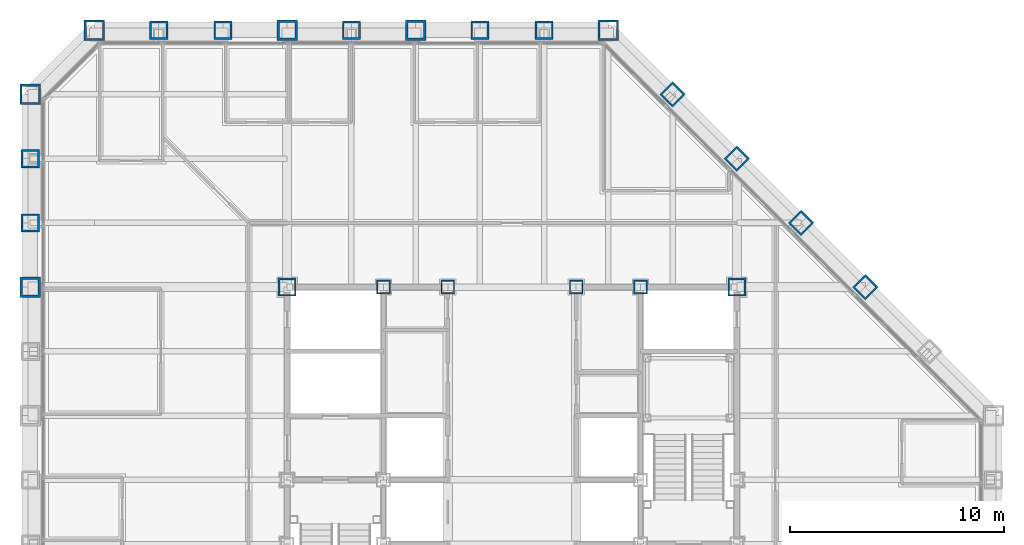
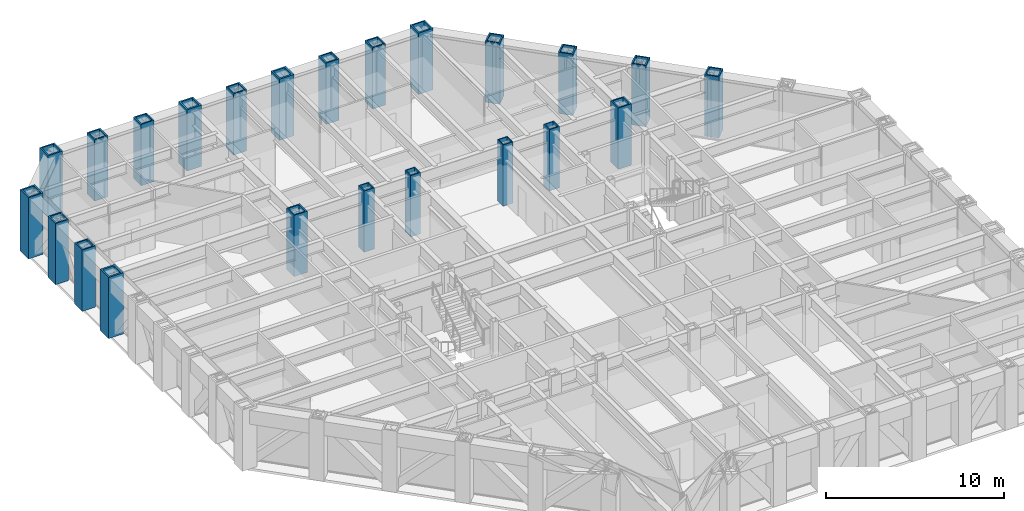
# One storey, part 3 of 17: 23 columns.
"""IFC4 building model written with IfcOpenShell, lengths in metres."""

from ifc_helpers import new_model, si_unit, direction, frame, origin, origin_2d, place, context, subcontext, project, spatial, hollow_rectangle, extrude, material, material_profile, profile_set, type_object, element, save


model = new_model("IFC4")

# Units and contexts
model_context = context("Model", 3, precision=1e-05, world=origin(), true_north=direction((0.0, 1.0)))
body_context = subcontext(model_context, "Body", "Model", "MODEL_VIEW")
ifc_project = project(units=[si_unit("LENGTHUNIT", "METRE"), si_unit("AREAUNIT", "SQUARE_METRE"), si_unit("VOLUMEUNIT", "CUBIC_METRE"), si_unit("PLANEANGLEUNIT", "RADIAN"), si_unit("MASSUNIT", "GRAM", prefix="KILO")], contexts=[model_context])

# Site, building, storey
site_placement = place(None, origin())
site = spatial("IfcSite", under=ifc_project, at=site_placement, CompositionType="ELEMENT")
building_placement = place(site_placement, origin())
building = spatial("IfcBuilding", under=site, at=building_placement, Name="Chuquiago Exchange Tower", CompositionType="ELEMENT")
storey_placement = place(building_placement, frame((0.0, 0.0, 169.800048828125)))
storey = spatial("IfcBuildingStorey", under=building, at=storey_placement, Name="L37", CompositionType="ELEMENT", Elevation=169.800048828125)

# Columns
ifc_material_1 = material(Name="Steel ASTM A572 Grade 50", Category="steel")
ifc_material_profile_1 = material_profile(ifc_material_1, hollow_rectangle(XDim=0.85009765625, YDim=0.85009765625, WallThickness=0.0849609375, at=origin_2d()), Name="BOX850X850X85")
ifc_profile_set_1 = profile_set([ifc_material_profile_1], Name="Steel ASTM A572 Grade 50")
column_type_1 = type_object("IfcColumnType", Name="C6 BOX850X850X85", PredefinedType="COLUMN", material=ifc_profile_set_1)
for number, where, z_axis, x_axis, name in (
    (1, (39.0, 33.0, 0.0), (0.0, 0.0, 1.0), (0.707106781187, 0.707106781187, 0.0), "COL-L37-39_33"),
    (2, (36.0, 36.0, 0.0), (0.0, 0.0, 1.0), (0.707106781187, 0.707106781187, 0.0), "COL-L37-36_36"),
    (3, (33.0, 39.0, 0.0), (0.0, 0.0, 1.0), (0.707106781187, 0.707106781187, 0.0), "COL-L37-33_39"),
    (4, (30.0, 42.0, 0.0), (0.0, 0.0, 1.0), (0.707106781187, 0.707106781187, 0.0), "COL-L37-30_42"),
    (5, (24.0, 45.0, 0.0), (0.0, 0.0, 1.0), (0.0, 1.0, 0.0), "COL-L37-24_45"),
    (6, (21.0, 45.0, 0.0), (0.0, 0.0, 1.0), (0.0, 1.0, 0.0), "COL-L37-21_45"),
    (7, (15.0, 45.0, 0.0), (0.0, 0.0, 1.0), (0.0, 1.0, 0.0), "COL-L37-15_45"),
    (8, (9.0, 45.0, 0.0), (0.0, 0.0, 1.0), (0.0, 1.0, 0.0), "COL-L37-9_45"),
    (9, (6.0, 45.0, 0.0), (0.0, 0.0, 1.0), (0.0, 1.0, 0.0), "COL-L37-6_45"),
    (10, (0.0, 39.0, 0.0), (0.0, 0.0, 1.0), (-1.0, 0.0, 0.0), "COL-L37-0_39"),
    (11, (0.0, 36.0, 0.0), (0.0, 0.0, 1.0), (-1.0, 0.0, 0.0), "COL-L37-0_36"),
):
    element("IfcColumn", number, at=place(storey_placement, frame(where, z_axis=z_axis, x_axis=x_axis)), inside=storey, type_object=column_type_1, Name=name, PredefinedType="COLUMN", context=body_context, shape_type="SweptSolid", body=[
        extrude(hollow_rectangle(XDim=0.85009765625, YDim=0.85009765625, WallThickness=0.0849609375, at=origin_2d()), origin(), (0.0, 0.0, 1.0), 4.199951171875),
    ])
ifc_material_2 = material(Name="Steel ASTM A572 Grade 50", Category="steel")
ifc_material_profile_2 = material_profile(ifc_material_2, hollow_rectangle(XDim=0.85009765625, YDim=0.85009765625, WallThickness=0.0849609375, at=origin_2d()), Name="BOX850X850X85")
ifc_profile_set_2 = profile_set([ifc_material_profile_2], Name="Steel ASTM A572 Grade 50")
column_type_2 = type_object("IfcColumnType", Name="CC6 BOX850X850X85", PredefinedType="COLUMN", material=ifc_profile_set_2)
for number, where, z_axis, x_axis, name in (
    (12, (12.0, 33.0, 0.0), (0.0, 0.0, 1.0), (1.0, 0.0, 0.0), "CCOL-L37-12_33"),
    (13, (33.0, 33.0, 0.0), (0.0, 0.0, 1.0), (1.0, 0.0, 0.0), "CCOL-L37-33_33"),
):
    element("IfcColumn", number, at=place(storey_placement, frame(where, z_axis=z_axis, x_axis=x_axis)), inside=storey, type_object=column_type_2, Name=name, PredefinedType="COLUMN", context=body_context, shape_type="SweptSolid", body=[
        extrude(hollow_rectangle(XDim=0.85009765625, YDim=0.85009765625, WallThickness=0.0849609375, at=origin_2d()), origin(), (0.0, 0.0, 1.0), 4.199951171875),
    ])
ifc_material_3 = material(Name="Steel ASTM A572 Grade 50", Category="steel")
ifc_material_profile_3 = material_profile(ifc_material_3, hollow_rectangle(XDim=0.64990234375, YDim=0.64990234375, WallThickness=0.06494140625, at=origin_2d()), Name="BOX650X650X65")
ifc_profile_set_3 = profile_set([ifc_material_profile_3], Name="Steel ASTM A572 Grade 50")
column_type_3 = type_object("IfcColumnType", Name="CC7 BOX650X650X65", PredefinedType="COLUMN", material=ifc_profile_set_3)
for number, where, z_axis, x_axis, name in (
    (14, (16.5, 33.0, 0.0), (0.0, 0.0, 1.0), (1.0, 0.0, 0.0), "CCOL-L37-16.5_33"),
    (15, (19.5, 33.0, 0.0), (0.0, 0.0, 1.0), (1.0, 0.0, 0.0), "CCOL-L37-19.5_33"),
    (16, (25.5, 33.0, 0.0), (0.0, 0.0, 1.0), (1.0, 0.0, 0.0), "CCOL-L37-25.5_33"),
    (17, (28.5, 33.0, 0.0), (0.0, 0.0, 1.0), (1.0, 0.0, 0.0), "CCOL-L37-28.5_33"),
):
    element("IfcColumn", number, at=place(storey_placement, frame(where, z_axis=z_axis, x_axis=x_axis)), inside=storey, type_object=column_type_3, Name=name, PredefinedType="COLUMN", context=body_context, shape_type="SweptSolid", body=[
        extrude(hollow_rectangle(XDim=0.64990234375, YDim=0.64990234375, WallThickness=0.06494140625, at=origin_2d()), origin(), (0.0, 0.0, 1.0), 4.199951171875),
    ])
ifc_material_4 = material(Name="Steel ASTM A572 Grade 50", Category="steel")
ifc_material_profile_4 = material_profile(ifc_material_4, hollow_rectangle(XDim=0.949951171875, YDim=0.949951171875, WallThickness=0.094970703125, at=origin_2d()), Name="BOX950X950X95")
ifc_profile_set_4 = profile_set([ifc_material_profile_4], Name="Steel ASTM A572 Grade 50")
column_type_4 = type_object("IfcColumnType", Name="CN1 BOX950X950X95", PredefinedType="COLUMN", material=ifc_profile_set_4)
for number, where, z_axis, x_axis, name in (
    (18, (27.0, 45.0, 0.0), (0.0, 0.0, 1.0), (0.0, 1.0, 0.0), "COL-L37-27_45"),
    (19, (3.0, 45.0, 0.0), (0.0, 0.0, 1.0), (0.0, 1.0, 0.0), "COL-L37-3_45"),
    (20, (0.0, 42.0, 0.0), (0.0, 0.0, 1.0), (-1.0, 0.0, 0.0), "COL-L37-0_42"),
):
    element("IfcColumn", number, at=place(storey_placement, frame(where, z_axis=z_axis, x_axis=x_axis)), inside=storey, type_object=column_type_4, Name=name, PredefinedType="COLUMN", context=body_context, shape_type="SweptSolid", body=[
        extrude(hollow_rectangle(XDim=0.949951171875, YDim=0.949951171875, WallThickness=0.094970703125, at=origin_2d()), origin(), (0.0, 0.0, 1.0), 4.199951171875),
    ])
ifc_material_5 = material(Name="Steel ASTM A572 Grade 42", Category="steel")
ifc_material_profile_5 = material_profile(ifc_material_5, hollow_rectangle(XDim=0.949951171875, YDim=0.949951171875, WallThickness=0.110107421875, at=origin_2d()), Name="BOX950X950X110")
ifc_profile_set_5 = profile_set([ifc_material_profile_5], Name="Steel ASTM A572 Grade 42")
column_type_5 = type_object("IfcColumnType", Name="CT1 BOX950X950X110", PredefinedType="COLUMN", material=ifc_profile_set_5)
for number, where, z_axis, x_axis, name in (
    (21, (18.0, 45.0, 0.0), (0.0, 0.0, 1.0), (0.0, 1.0, 0.0), "COL-L37-18_45"),
    (22, (12.0, 45.0, 0.0), (0.0, 0.0, 1.0), (0.0, 1.0, 0.0), "COL-L37-12_45"),
    (23, (0.0, 33.0, 0.0), (0.0, 0.0, 1.0), (-1.0, 0.0, 0.0), "COL-L37-0_33"),
):
    element("IfcColumn", number, at=place(storey_placement, frame(where, z_axis=z_axis, x_axis=x_axis)), inside=storey, type_object=column_type_5, Name=name, PredefinedType="COLUMN", context=body_context, shape_type="SweptSolid", body=[
        extrude(hollow_rectangle(XDim=0.949951171875, YDim=0.949951171875, WallThickness=0.110107421875, at=origin_2d()), origin(), (0.0, 0.0, 1.0), 4.199951171875),
    ])

save(model, "model.ifc")
